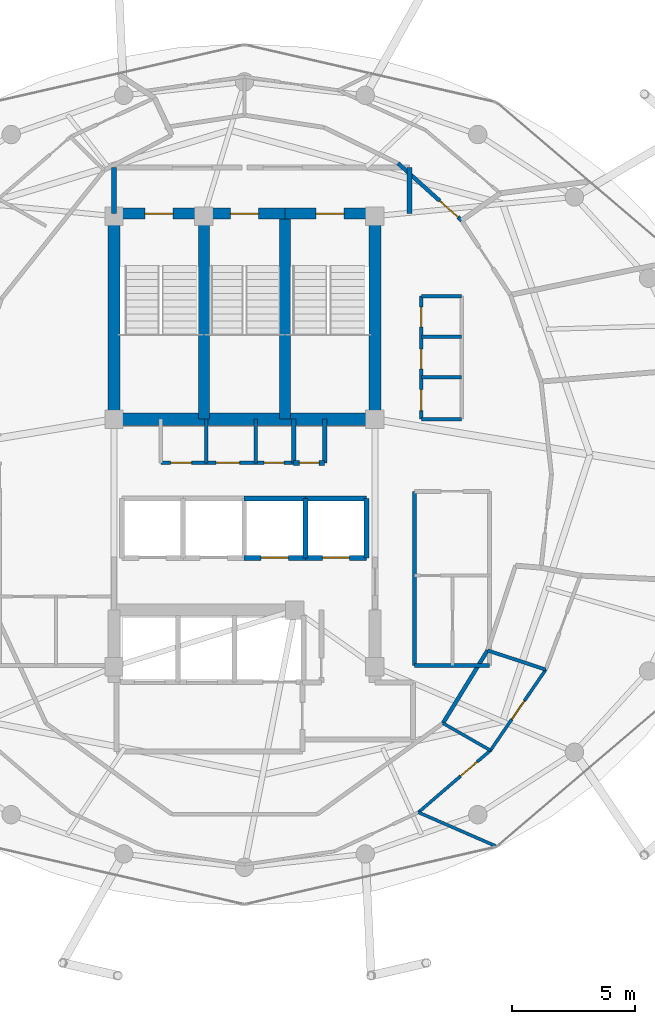
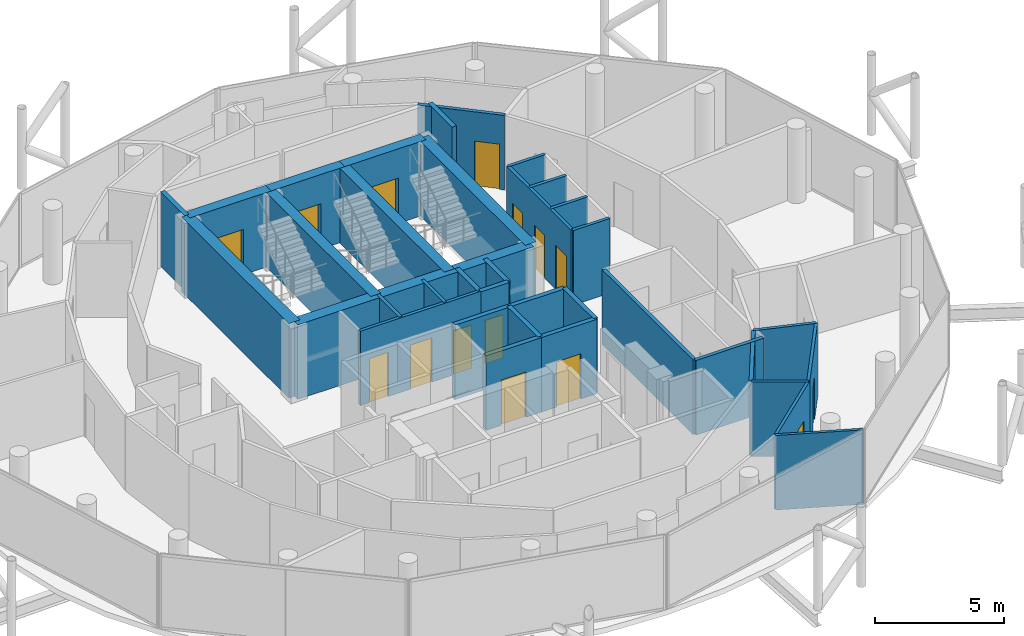
# One storey, part 21 of 24: 36 walls, 15 doors, 15 openings.
"""IFC4 building model written with IfcOpenShell, lengths in metres."""

from ifc_helpers import new_model, si_unit, direction, frame, frame_2d, origin, place, context, subcontext, project, spatial, rectangle, extrude, material, layer, layer_set, type_object, element, fill, save


model = new_model("IFC4")

# Units and contexts
model_context = context("Model", 3, precision=1e-05, world=origin(), true_north=direction((0.0, 1.0)))
body_context = subcontext(model_context, "Body", "Model", "MODEL_VIEW")
ifc_project = project(units=[si_unit("LENGTHUNIT", "METRE"), si_unit("AREAUNIT", "SQUARE_METRE"), si_unit("VOLUMEUNIT", "CUBIC_METRE"), si_unit("PLANEANGLEUNIT", "RADIAN"), si_unit("MASSUNIT", "GRAM", prefix="KILO")], contexts=[model_context])

# Site, building, storey
site_placement = place(None, origin())
site = spatial("IfcSite", under=ifc_project, at=site_placement, CompositionType="ELEMENT")
building_placement = place(site_placement, origin())
building = spatial("IfcBuilding", under=site, at=building_placement, Name="Nuhasar Tower", CompositionType="ELEMENT")
storey_placement = place(building_placement, frame((0.0, 0.0, 263.199951171875)))
storey = spatial("IfcBuildingStorey", under=building, at=storey_placement, Name="L65", CompositionType="ELEMENT", Elevation=263.199951171875)

# Wall, opening, door
ifc_material_1 = material(Name="Concrete C50/60", Category="concrete")
ifc_layer_1 = layer(ifc_material_1, 0.449951171875)
ifc_layer_set_1 = layer_set([ifc_layer_1], Name="Concrete C50/60")
wall_type_1 = type_object("IfcWallType", Name="WL-CORE-450", PredefinedType="SHEAR", material=ifc_layer_set_1)
wall_1_placement = place(storey_placement, frame((37.35009765625, 37.39990234375, 0.0), z_axis=(0.0, 0.0, 1.0), x_axis=(-1.0, 0.0, 0.0)))
wall_1 = element("IfcWall", 1, at=wall_1_placement, inside=storey, type_object=wall_type_1, Name="L65 Stairwell Shear Wall ST01-N", PredefinedType="SHEAR", context=body_context, shape_type="SweptSolid", body=[
    extrude(rectangle(XDim=3.650146484375, YDim=0.449951171875, at=frame_2d((1.8251953125, 0.0))), origin(), (0.0, 0.0, 1.0), 3.5400390625),
])
opening_1_placement = place(wall_1_placement, frame((1.25, 0.0, 0.0)))
opening_1 = element("IfcOpeningElement", 2, at=opening_1_placement, cuts=wall_1, Name="Opening DS-01", PredefinedType="OPENING", context=body_context, shape_type="SweptSolid", body=[
    extrude(rectangle(XDim=1.14990234375, YDim=2.14990234375, at=frame_2d((0.574951171875, 1.074951171875))), frame((0.0, 0.23486328125, 0.0), z_axis=(0.0, -1.0, 0.0), x_axis=(1.0, 0.0, 0.0)), (0.0, 0.0, 1.0), 0.469970703125),
])
ifc_material_2 = material(Name="Steel S355", Category="steel")
door_type_1 = type_object("IfcDoorType", Name="DR-STAIR-FD120-1150", OperationType="NOTDEFINED", PredefinedType="DOOR", material=ifc_material_2)
door_1_placement = place(opening_1_placement, origin())
door_1 = element("IfcDoor", 3, at=door_1_placement, inside=storey, type_object=door_type_1, Name="L65 Exit Stair ST-01 Door", OperationType="SINGLE_SWING_RIGHT", OverallHeight=2.14990234375, OverallWidth=1.14990234375, PredefinedType="DOOR", context=body_context, shape_type="SweptSolid", body=[
    extrude(rectangle(XDim=1.14990234375, YDim=2.14990234375, at=frame_2d((0.574951171875, 1.074951171875))), frame((0.0, 0.02490234375, 0.0), z_axis=(0.0, -1.0, 0.0), x_axis=(1.0, 0.0, 0.0)), (0.0, 0.0, 1.0), 0.050048828125),
])
fill(opening_1, door_1)

# Wall
wall_2_placement = place(storey_placement, frame((37.35009765625, 29.050048828125, 0.0), z_axis=(0.0, 0.0, 1.0), x_axis=(0.0, 1.0, 0.0)))
element("IfcWall", 4, at=wall_2_placement, inside=storey, type_object=wall_type_1, Name="L65 Stairwell Shear Wall ST01-E", PredefinedType="SHEAR", context=body_context, shape_type="SweptSolid", body=[
    extrude(rectangle(XDim=8.349853515625, YDim=0.449951171875, at=frame_2d((4.1748046875, 0.0))), origin(), (0.0, 0.0, 1.0), 3.5400390625),
])

# Wall, opening, door
wall_3_placement = place(storey_placement, frame((40.64990234375, 37.39990234375, 0.0), z_axis=(0.0, 0.0, 1.0), x_axis=(-1.0, 0.0, 0.0)))
wall_3 = element("IfcWall", 5, at=wall_3_placement, inside=storey, type_object=wall_type_1, Name="L65 Stairwell Shear Wall ST03-N", PredefinedType="SHEAR", context=body_context, shape_type="SweptSolid", body=[
    extrude(rectangle(XDim=3.2998046875, YDim=0.449951171875, at=frame_2d((1.64990234375, 0.0))), origin(), (0.0, 0.0, 1.0), 3.5400390625),
])
opening_2_placement = place(wall_3_placement, frame((1.074951171875, 0.0, 0.0)))
opening_2 = element("IfcOpeningElement", 6, at=opening_2_placement, cuts=wall_3, Name="Opening DS-01", PredefinedType="OPENING", context=body_context, shape_type="SweptSolid", body=[
    extrude(rectangle(XDim=1.14990234375, YDim=2.14990234375, at=frame_2d((0.574951171875, 1.074951171875))), frame((0.0, 0.23486328125, 0.0), z_axis=(0.0, -1.0, 0.0), x_axis=(1.0, 0.0, 0.0)), (0.0, 0.0, 1.0), 0.469970703125),
])
door_2_placement = place(opening_2_placement, origin())
door_2 = element("IfcDoor", 7, at=door_2_placement, inside=storey, type_object=door_type_1, Name="L65 Exit Stair ST-03 Door", OperationType="SINGLE_SWING_RIGHT", OverallHeight=2.14990234375, OverallWidth=1.14990234375, PredefinedType="DOOR", context=body_context, shape_type="SweptSolid", body=[
    extrude(rectangle(XDim=1.14990234375, YDim=2.14990234375, at=frame_2d((0.574951171875, 1.074951171875))), frame((0.0, 0.02490234375, 0.0), z_axis=(0.0, -1.0, 0.0), x_axis=(1.0, 0.0, 0.0)), (0.0, 0.0, 1.0), 0.050048828125),
])
fill(opening_2, door_2)

# Wall
wall_4_placement = place(storey_placement, frame((40.64990234375, 29.050048828125, 0.0), z_axis=(0.0, 0.0, 1.0), x_axis=(0.0, 1.0, 0.0)))
element("IfcWall", 8, at=wall_4_placement, inside=storey, type_object=wall_type_1, Name="L65 Stairwell Shear Wall ST03-E", PredefinedType="SHEAR", context=body_context, shape_type="SweptSolid", body=[
    extrude(rectangle(XDim=8.349853515625, YDim=0.449951171875, at=frame_2d((4.1748046875, 0.0))), origin(), (0.0, 0.0, 1.0), 3.5400390625),
])

# Wall, opening, door
wall_5_placement = place(storey_placement, frame((44.300048828125, 37.39990234375, 0.0), z_axis=(0.0, 0.0, 1.0), x_axis=(-1.0, 0.0, 0.0)))
wall_5 = element("IfcWall", 9, at=wall_5_placement, inside=storey, type_object=wall_type_1, Name="L65 Stairwell Shear Wall ST02-N", PredefinedType="SHEAR", context=body_context, shape_type="SweptSolid", body=[
    extrude(rectangle(XDim=3.650146484375, YDim=0.449951171875, at=frame_2d((1.8251953125, 0.0))), origin(), (0.0, 0.0, 1.0), 3.5400390625),
])
opening_3_placement = place(wall_5_placement, frame((1.25, 0.0, 0.0)))
opening_3 = element("IfcOpeningElement", 10, at=opening_3_placement, cuts=wall_5, Name="Opening DS-01", PredefinedType="OPENING", context=body_context, shape_type="SweptSolid", body=[
    extrude(rectangle(XDim=1.14990234375, YDim=2.14990234375, at=frame_2d((0.574951171875, 1.074951171875))), frame((0.0, 0.23486328125, 0.0), z_axis=(0.0, -1.0, 0.0), x_axis=(1.0, 0.0, 0.0)), (0.0, 0.0, 1.0), 0.469970703125),
])
door_3_placement = place(opening_3_placement, origin())
door_3 = element("IfcDoor", 11, at=door_3_placement, inside=storey, type_object=door_type_1, Name="L65 Exit Stair ST-02 Door", OperationType="SINGLE_SWING_LEFT", OverallHeight=2.14990234375, OverallWidth=1.14990234375, PredefinedType="DOOR", context=body_context, shape_type="SweptSolid", body=[
    extrude(rectangle(XDim=1.14990234375, YDim=2.14990234375, at=frame_2d((0.574951171875, 1.074951171875))), frame((0.0, 0.02490234375, 0.0), z_axis=(0.0, -1.0, 0.0), x_axis=(1.0, 0.0, 0.0)), (0.0, 0.0, 1.0), 0.050048828125),
])
fill(opening_3, door_3)

# Walls
ifc_layer_2 = layer(ifc_material_1, 0.5)
ifc_layer_set_2 = layer_set([ifc_layer_2], Name="Concrete C50/60")
wall_type_2 = type_object("IfcWallType", Name="WL-CORE-500", PredefinedType="SHEAR", material=ifc_layer_set_2)
for number, where, z_axis, x_axis, name in (
    (12, (33.699951171875, 29.050048828125, 0.0), (0.0, 0.0, 1.0), (0.0, 1.0, 0.0), "L65 Core Shear Wall CW-NW CW-500"),
    (13, (44.300048828125, 29.050048828125, 0.0), (0.0, 0.0, 1.0), (0.0, 1.0, 0.0), "L65 Core Shear Wall CW-NE CW-500"),
):
    element("IfcWall", number, at=place(storey_placement, frame(where, z_axis=z_axis, x_axis=x_axis)), inside=storey, type_object=wall_type_2, Name=name, PredefinedType="SHEAR", context=body_context, shape_type="SweptSolid", body=[
        extrude(rectangle(XDim=8.349853515625, YDim=0.5, at=frame_2d((4.1748046875, 0.0))), origin(), (0.0, 0.0, 1.0), 3.5400390625),
    ])
wall_6_placement = place(storey_placement, frame((33.699951171875, 29.050048828125, 0.0), z_axis=(0.0, 0.0, 1.0), x_axis=(1.0, 0.0, 0.0)))
element("IfcWall", 14, at=wall_6_placement, inside=storey, type_object=wall_type_2, Name="L65 Core Shear Wall CW-N1 CW-500", PredefinedType="SHEAR", context=body_context, shape_type="SweptSolid", body=[
    extrude(rectangle(XDim=10.60009765625, YDim=0.5, at=frame_2d((5.300048828125, 0.0))), origin(), (0.0, 0.0, 1.0), 3.5400390625),
])
ifc_material_3 = material(Name="Gypsum Board", Category="gypsum")
ifc_layer_3 = layer(ifc_material_3, 0.159912109375)
ifc_layer_set_3 = layer_set([ifc_layer_3], Name="Gypsum Board")
wall_type_3 = type_object("IfcWallType", Name="WL-CORR-160", PredefinedType="PARTITIONING", material=ifc_layer_set_3)
wall_7_placement = place(storey_placement, frame((45.89990234375, 19.050048828125, 0.0), z_axis=(0.0, 0.0, 1.0), x_axis=(1.0, 0.0, 0.0)))
element("IfcWall", 15, at=wall_7_placement, inside=storey, type_object=wall_type_3, Name="L65 Interior Partition RECL-B2-S", PredefinedType="PARTITIONING", context=body_context, shape_type="SweptSolid", body=[
    extrude(rectangle(XDim=3.050048828125, YDim=0.159912109375, at=frame_2d((1.52490234375, 0.0))), origin(), (0.0, 0.0, 1.0), 3.5400390625),
])
wall_8_placement = place(storey_placement, frame((45.89990234375, 19.050048828125, 0.0), z_axis=(0.0, 0.0, 1.0), x_axis=(0.0, 1.0, 0.0)))
element("IfcWall", 16, at=wall_8_placement, inside=storey, type_object=wall_type_3, Name="L65 Interior Partition RECL-B2-W", PredefinedType="PARTITIONING", context=body_context, shape_type="SweptSolid", body=[
    extrude(rectangle(XDim=7.070068359375, YDim=0.159912109375, at=frame_2d((3.53515625, 0.0))), origin(), (0.0, 0.0, 1.0), 3.5400390625),
])

# Wall, opening, door
wall_9_placement = place(storey_placement, frame((45.235107421875, 39.444091796875, 0.0), z_axis=(0.0, 0.0, 1.0), x_axis=(0.743958104357, -0.668226263299, 0.0)))
wall_9 = element("IfcWall", 17, at=wall_9_placement, inside=storey, type_object=wall_type_3, Name="L65 Interior Partition CORR-06", PredefinedType="PARTITIONING", context=body_context, shape_type="SweptSolid", body=[
    extrude(rectangle(XDim=3.471923828125, YDim=0.159912109375, at=frame_2d((1.73583984375, 0.0))), origin(), (0.0, 0.0, 1.0), 3.5400390625),
])
opening_4_placement = place(wall_9_placement, frame((2.27197265625, 0.0, 0.0)))
opening_4 = element("IfcOpeningElement", 18, at=opening_4_placement, cuts=wall_9, Name="Opening DU-02", PredefinedType="OPENING", context=body_context, shape_type="SweptSolid", body=[
    extrude(rectangle(XDim=1.0, YDim=2.14990234375, at=frame_2d((0.5, 1.074951171875))), frame((0.0, 0.08984375, 0.0), z_axis=(0.0, -1.0, 0.0), x_axis=(1.0, 0.0, 0.0)), (0.0, 0.0, 1.0), 0.179931640625),
])
ifc_material_4 = material(Name="Timber Oak", Category="wood")
door_type_2 = type_object("IfcDoorType", Name="DR-FLAT-FD60-1000", OperationType="NOTDEFINED", PredefinedType="DOOR", material=ifc_material_4)
door_4_placement = place(opening_4_placement, origin())
door_4 = element("IfcDoor", 19, at=door_4_placement, inside=storey, type_object=door_type_2, Name="L65 North-East Sky Penthouse Entrance Door", OperationType="SINGLE_SWING_RIGHT", OverallHeight=2.14990234375, OverallWidth=1.0, PredefinedType="DOOR", context=body_context, shape_type="SweptSolid", body=[
    extrude(rectangle(XDim=1.0, YDim=2.14990234375, at=frame_2d((0.5, 1.074951171875))), frame((0.0, 0.02490234375, 0.0), z_axis=(0.0, -1.0, 0.0), x_axis=(1.0, 0.0, 0.0)), (0.0, 0.0, 1.0), 0.050048828125),
])
fill(opening_4, door_4)

# Walls
wall_10_placement = place(storey_placement, frame((47.06103515625, 16.702880859375, 0.0), z_axis=(0.0, 0.0, 1.0), x_axis=(0.522486120877, 0.852647789823, 0.0)))
element("IfcWall", 20, at=wall_10_placement, inside=storey, type_object=wall_type_3, Name="L65 Interior Partition UWEST-CORE-S1-42", PredefinedType="PARTITIONING", context=body_context, shape_type="SweptSolid", body=[
    extrude(rectangle(XDim=3.468017578125, YDim=0.159912109375, at=frame_2d((1.73388671875, 0.0))), origin(), (0.0, 0.0, 1.0), 3.5400390625),
])
ifc_material_5 = material(Name="Concrete C45/55", Category="concrete")
ifc_layer_4 = layer(ifc_material_5, 0.199951171875)
ifc_layer_set_4 = layer_set([ifc_layer_4], Name="Concrete C45/55")
wall_type_4 = type_object("IfcWallType", Name="WL-LOBBY-200", PredefinedType="SOLIDWALL", material=ifc_layer_set_4)
for number, where, z_axis, x_axis, name in (
    (21, (33.699951171875, 37.39990234375, 0.0), (0.0, 0.0, 1.0), (0.0, 1.0, 0.0), "L65 Interior Partition NSL-W"),
    (22, (45.699951171875, 37.39990234375, 0.0), (0.0, 0.0, 1.0), (0.0, 1.0, 0.0), "L65 Interior Partition NSL-E"),
):
    element("IfcWall", number, at=place(storey_placement, frame(where, z_axis=z_axis, x_axis=x_axis)), inside=storey, type_object=wall_type_4, Name=name, PredefinedType="SOLIDWALL", context=body_context, shape_type="SweptSolid", body=[
        extrude(rectangle(XDim=1.880126953125, YDim=0.199951171875, at=frame_2d((0.93994140625, 0.0))), origin(), (0.0, 0.0, 1.0), 3.5400390625),
    ])

# Wall, opening, door
ifc_layer_5 = layer(ifc_material_3, 0.125)
ifc_layer_set_5 = layer_set([ifc_layer_5], Name="Gypsum Board")
wall_type_5 = type_object("IfcWallType", Name="WL-PART-125", PredefinedType="PARTITIONING", material=ifc_layer_set_5)
wall_11_placement = place(storey_placement, frame((51.237060546875, 18.8798828125, 0.0), z_axis=(0.0, 0.0, 1.0), x_axis=(-0.5649172284, -0.825147577744, 0.0)))
wall_11 = element("IfcWall", 23, at=wall_11_placement, inside=storey, type_object=wall_type_5, Name="L65 Interior Partition USM-2-K-42", PredefinedType="PARTITIONING", context=body_context, shape_type="SweptSolid", body=[
    extrude(rectangle(XDim=3.97607421875, YDim=0.125, at=frame_2d((1.988037109375, 0.0))), origin(), (0.0, 0.0, 1.0), 3.5400390625),
])
opening_5_placement = place(wall_11_placement, frame((1.5380859375, 0.0, 0.0)))
opening_5 = element("IfcOpeningElement", 24, at=opening_5_placement, cuts=wall_11, Name="Opening DR-01", PredefinedType="OPENING", context=body_context, shape_type="SweptSolid", body=[
    extrude(rectangle(XDim=0.89990234375, YDim=2.10009765625, at=frame_2d((0.449951171875, 1.050048828125))), frame((0.0, 0.072509765625, 0.0), z_axis=(0.0, -1.0, 0.0), x_axis=(1.0, 0.0, 0.0)), (0.0, 0.0, 1.0), 0.14501953125),
])
door_type_3 = type_object("IfcDoorType", Name="DR-ROOM-900", OperationType="NOTDEFINED", PredefinedType="DOOR", material=ifc_material_4)
door_5_placement = place(opening_5_placement, origin())
door_5 = element("IfcDoor", 25, at=door_5_placement, inside=storey, type_object=door_type_3, Name="L65 South-West Sky Home Kitchen Door", OperationType="SINGLE_SWING_LEFT", OverallHeight=2.10009765625, OverallWidth=0.89990234375, PredefinedType="DOOR", context=body_context, shape_type="SweptSolid", body=[
    extrude(rectangle(XDim=0.89990234375, YDim=2.10009765625, at=frame_2d((0.449951171875, 1.050048828125))), frame((0.0, 0.02490234375, 0.0), z_axis=(0.0, -1.0, 0.0), x_axis=(1.0, 0.0, 0.0)), (0.0, 0.0, 1.0), 0.050048828125),
])
fill(opening_5, door_5)

# Wall
wall_12_placement = place(storey_placement, frame((47.06103515625, 16.702880859375, 0.0), z_axis=(0.0, 0.0, 1.0), x_axis=(0.868060627231, -0.496458203126, 0.0)))
element("IfcWall", 26, at=wall_12_placement, inside=storey, type_object=wall_type_5, Name="L65 Interior Partition USI-2-DK", PredefinedType="PARTITIONING", context=body_context, shape_type="SweptSolid", body=[
    extrude(rectangle(XDim=2.223388671875, YDim=0.125, at=frame_2d((1.11181640625, 0.0))), origin(), (0.0, 0.0, 1.0), 3.5400390625),
])

# Wall, opening, door
wall_13_placement = place(storey_placement, frame((48.990966796875, 15.59912109375, 0.0), z_axis=(0.0, 0.0, 1.0), x_axis=(-0.758094504626, -0.652144709444, 0.0)))
wall_13 = element("IfcWall", 27, at=wall_13_placement, inside=storey, type_object=wall_type_5, Name="L65 Interior Partition USM-2-D-40", PredefinedType="PARTITIONING", context=body_context, shape_type="SweptSolid", body=[
    extrude(rectangle(XDim=3.859619140625, YDim=0.125, at=frame_2d((1.9296875, 0.0))), origin(), (0.0, 0.0, 1.0), 3.5400390625),
])
opening_6_placement = place(wall_13_placement, frame((0.701904296875, 0.0, 0.0)))
opening_6 = element("IfcOpeningElement", 28, at=opening_6_placement, cuts=wall_13, Name="Opening DR-01", PredefinedType="OPENING", context=body_context, shape_type="SweptSolid", body=[
    extrude(rectangle(XDim=0.89990234375, YDim=2.10009765625, at=frame_2d((0.449951171875, 1.050048828125))), frame((0.0, 0.072509765625, 0.0), z_axis=(0.0, -1.0, 0.0), x_axis=(1.0, 0.0, 0.0)), (0.0, 0.0, 1.0), 0.14501953125),
])
door_6_placement = place(opening_6_placement, origin())
door_6 = element("IfcDoor", 29, at=door_6_placement, inside=storey, type_object=door_type_3, Name="L65 South-West Sky Home Master Bedroom Door", OperationType="SINGLE_SWING_LEFT", OverallHeight=2.10009765625, OverallWidth=0.89990234375, PredefinedType="DOOR", context=body_context, shape_type="SweptSolid", body=[
    extrude(rectangle(XDim=0.89990234375, YDim=2.10009765625, at=frame_2d((0.449951171875, 1.050048828125))), frame((0.0, 0.02490234375, 0.0), z_axis=(0.0, -1.0, 0.0), x_axis=(1.0, 0.0, 0.0)), (0.0, 0.0, 1.0), 0.050048828125),
])
fill(opening_6, door_6)

# Walls
wall_14_placement = place(storey_placement, frame((46.06494140625, 13.08203125, 0.0), z_axis=(0.0, 0.0, 1.0), x_axis=(0.916707983788, -0.399557846199, 0.0)))
element("IfcWall", 30, at=wall_14_placement, inside=storey, type_object=wall_type_5, Name="L65 Interior Partition USO-2-BD", PredefinedType="PARTITIONING", context=body_context, shape_type="SweptSolid", body=[
    extrude(rectangle(XDim=3.43408203125, YDim=0.125, at=frame_2d((1.717041015625, 0.0))), origin(), (0.0, 0.0, 1.0), 3.5400390625),
])
ifc_layer_6 = layer(ifc_material_5, 0.199951171875)
ifc_layer_set_6 = layer_set([ifc_layer_6], Name="Concrete C45/55")
wall_type_6 = type_object("IfcWallType", Name="WL-SHAFT-200", PredefinedType="SOLIDWALL", material=ifc_layer_set_6)
for number, where, z_axis, x_axis, name in (
    (31, (41.0, 27.280029296875, 0.0), (0.0, 0.0, 1.0), (0.0, 1.0, 0.0), "L65 Interior Partition RSRN-W"),
    (32, (42.260009765625, 27.280029296875, 0.0), (0.0, 0.0, 1.0), (0.0, 1.0, 0.0), "L65 Interior Partition RSRN-E"),
):
    element("IfcWall", number, at=place(storey_placement, frame(where, z_axis=z_axis, x_axis=x_axis)), inside=storey, type_object=wall_type_6, Name=name, PredefinedType="SOLIDWALL", context=body_context, shape_type="SweptSolid", body=[
        extrude(rectangle(XDim=1.77001953125, YDim=0.199951171875, at=frame_2d((0.885009765625, 0.0))), origin(), (0.0, 0.0, 1.0), 3.5400390625),
    ])

# Wall, opening, door
wall_15_placement = place(storey_placement, frame((41.0, 27.280029296875, 0.0), z_axis=(0.0, 0.0, 1.0), x_axis=(1.0, 0.0, 0.0)))
wall_15 = element("IfcWall", 33, at=wall_15_placement, inside=storey, type_object=wall_type_6, Name="L65 Interior Partition RSRN-S", PredefinedType="SOLIDWALL", context=body_context, shape_type="SweptSolid", body=[
    extrude(rectangle(XDim=1.260009765625, YDim=0.199951171875, at=frame_2d((0.6298828125, 0.0))), origin(), (0.0, 0.0, 1.0), 3.5400390625),
])
opening_7_placement = place(wall_15_placement, frame((0.22998046875, 0.0, 0.0)))
opening_7 = element("IfcOpeningElement", 34, at=opening_7_placement, cuts=wall_15, Name="Opening DM-01", PredefinedType="OPENING", context=body_context, shape_type="SweptSolid", body=[
    extrude(rectangle(XDim=0.800048828125, YDim=2.050048828125, at=frame_2d((0.39990234375, 1.02490234375))), frame((0.0, 0.10986328125, 0.0), z_axis=(0.0, -1.0, 0.0), x_axis=(1.0, 0.0, 0.0)), (0.0, 0.0, 1.0), 0.219970703125),
])
door_type_4 = type_object("IfcDoorType", Name="DR-RISER-FD60-800", OperationType="NOTDEFINED", PredefinedType="DOOR", material=ifc_material_2)
door_7_placement = place(opening_7_placement, origin())
door_7 = element("IfcDoor", 35, at=door_7_placement, inside=storey, type_object=door_type_4, Name="L65 North Smoke Riser Door", OperationType="SINGLE_SWING_RIGHT", OverallHeight=2.050048828125, OverallWidth=0.800048828125, PredefinedType="DOOR", context=body_context, shape_type="SweptSolid", body=[
    extrude(rectangle(XDim=0.800048828125, YDim=2.050048828125, at=frame_2d((0.39990234375, 1.02490234375))), frame((0.0, 0.02490234375, 0.0), z_axis=(0.0, -1.0, 0.0), x_axis=(1.0, 0.0, 0.0)), (0.0, 0.0, 1.0), 0.050048828125),
])
fill(opening_7, door_7)

wall_16_placement = place(storey_placement, frame((38.97998046875, 23.419921875, 0.0), z_axis=(0.0, 0.0, 1.0), x_axis=(1.0, 0.0, 0.0)))
wall_16 = element("IfcWall", 36, at=wall_16_placement, inside=storey, type_object=wall_type_6, Name="L65 Interior Partition SHF-PL-H03-S", PredefinedType="SOLIDWALL", context=body_context, shape_type="SweptSolid", body=[
    extrude(rectangle(XDim=2.5, YDim=0.199951171875, at=frame_2d((1.25, 0.0))), origin(), (0.0, 0.0, 1.0), 3.5400390625),
])
opening_8_placement = place(wall_16_placement, frame((0.699951171875, 0.0, 0.0)))
opening_8 = element("IfcOpeningElement", 37, at=opening_8_placement, cuts=wall_16, Name="Opening LD-H03", PredefinedType="OPENING", context=body_context, shape_type="SweptSolid", body=[
    extrude(rectangle(XDim=1.10009765625, YDim=2.14990234375, at=frame_2d((0.550048828125, 1.074951171875))), frame((0.0, 0.10986328125, 0.0), z_axis=(0.0, -1.0, 0.0), x_axis=(1.0, 0.0, 0.0)), (0.0, 0.0, 1.0), 0.219970703125),
])
ifc_material_6 = material(Name="Stainless Steel 316L", Category="steel")
door_type_5 = type_object("IfcDoorType", Name="LD-PAX-1100", OperationType="DOUBLE_DOOR_SLIDING", PredefinedType="DOOR", material=ifc_material_6)
door_8_placement = place(opening_8_placement, origin())
door_8 = element("IfcDoor", 38, at=door_8_placement, inside=storey, type_object=door_type_5, Name="L65 Lift Landing Door PL-H03", OperationType="DOUBLE_DOOR_SLIDING", OverallHeight=2.14990234375, OverallWidth=1.10009765625, PredefinedType="DOOR", context=body_context, shape_type="SweptSolid", body=[
    extrude(rectangle(XDim=1.10009765625, YDim=2.14990234375, at=frame_2d((0.550048828125, 1.074951171875))), frame((0.0, 0.02490234375, 0.0), z_axis=(0.0, -1.0, 0.0), x_axis=(1.0, 0.0, 0.0)), (0.0, 0.0, 1.0), 0.050048828125),
])
fill(opening_8, door_8)

# Walls
wall_17_placement = place(storey_placement, frame((38.97998046875, 25.830078125, 0.0), z_axis=(0.0, 0.0, 1.0), x_axis=(1.0, 0.0, 0.0)))
element("IfcWall", 39, at=wall_17_placement, inside=storey, type_object=wall_type_6, Name="L65 Interior Partition SHF-PL-H03-N", PredefinedType="SOLIDWALL", context=body_context, shape_type="SweptSolid", body=[
    extrude(rectangle(XDim=2.5, YDim=0.199951171875, at=frame_2d((1.25, 0.0))), origin(), (0.0, 0.0, 1.0), 3.5400390625),
])
wall_18_placement = place(storey_placement, frame((41.469970703125, 23.419921875, 0.0), z_axis=(0.0, 0.0, 1.0), x_axis=(0.0, 1.0, 0.0)))
element("IfcWall", 40, at=wall_18_placement, inside=storey, type_object=wall_type_6, Name="L65 Interior Partition SHF-PL-H03-E", PredefinedType="SOLIDWALL", context=body_context, shape_type="SweptSolid", body=[
    extrude(rectangle(XDim=2.41015625, YDim=0.199951171875, at=frame_2d((1.205078125, 0.0))), origin(), (0.0, 0.0, 1.0), 3.5400390625),
])

# Wall, opening, door
wall_19_placement = place(storey_placement, frame((41.4599609375, 23.419921875, 0.0), z_axis=(0.0, 0.0, 1.0), x_axis=(1.0, 0.0, 0.0)))
wall_19 = element("IfcWall", 41, at=wall_19_placement, inside=storey, type_object=wall_type_6, Name="L65 Interior Partition SHF-PL-H04-S", PredefinedType="SOLIDWALL", context=body_context, shape_type="SweptSolid", body=[
    extrude(rectangle(XDim=2.5, YDim=0.199951171875, at=frame_2d((1.25, 0.0))), origin(), (0.0, 0.0, 1.0), 3.5400390625),
])
opening_9_placement = place(wall_19_placement, frame((0.699951171875, 0.0, 0.0)))
opening_9 = element("IfcOpeningElement", 42, at=opening_9_placement, cuts=wall_19, Name="Opening LD-H04", PredefinedType="OPENING", context=body_context, shape_type="SweptSolid", body=[
    extrude(rectangle(XDim=1.10009765625, YDim=2.14990234375, at=frame_2d((0.550048828125, 1.074951171875))), frame((0.0, 0.10986328125, 0.0), z_axis=(0.0, -1.0, 0.0), x_axis=(1.0, 0.0, 0.0)), (0.0, 0.0, 1.0), 0.219970703125),
])
door_9_placement = place(opening_9_placement, origin())
door_9 = element("IfcDoor", 43, at=door_9_placement, inside=storey, type_object=door_type_5, Name="L65 Lift Landing Door PL-H04", OperationType="DOUBLE_DOOR_SLIDING", OverallHeight=2.14990234375, OverallWidth=1.10009765625, PredefinedType="DOOR", context=body_context, shape_type="SweptSolid", body=[
    extrude(rectangle(XDim=1.10009765625, YDim=2.14990234375, at=frame_2d((0.550048828125, 1.074951171875))), frame((0.0, 0.02490234375, 0.0), z_axis=(0.0, -1.0, 0.0), x_axis=(1.0, 0.0, 0.0)), (0.0, 0.0, 1.0), 0.050048828125),
])
fill(opening_9, door_9)

# Walls
wall_20_placement = place(storey_placement, frame((41.4599609375, 25.830078125, 0.0), z_axis=(0.0, 0.0, 1.0), x_axis=(1.0, 0.0, 0.0)))
element("IfcWall", 44, at=wall_20_placement, inside=storey, type_object=wall_type_6, Name="L65 Interior Partition SHF-PL-H04-N", PredefinedType="SOLIDWALL", context=body_context, shape_type="SweptSolid", body=[
    extrude(rectangle(XDim=2.5, YDim=0.199951171875, at=frame_2d((1.25, 0.0))), origin(), (0.0, 0.0, 1.0), 3.5400390625),
])
wall_21_placement = place(storey_placement, frame((43.9599609375, 23.419921875, 0.0), z_axis=(0.0, 0.0, 1.0), x_axis=(0.0, 1.0, 0.0)))
element("IfcWall", 45, at=wall_21_placement, inside=storey, type_object=wall_type_6, Name="L65 Interior Partition SHF-PL-H04-E", PredefinedType="SOLIDWALL", context=body_context, shape_type="SweptSolid", body=[
    extrude(rectangle(XDim=2.41015625, YDim=0.199951171875, at=frame_2d((1.205078125, 0.0))), origin(), (0.0, 0.0, 1.0), 3.5400390625),
])

# Wall, openings, doors
ifc_material_7 = material(Name="Concrete C40/50 precast", Category="concrete")
ifc_layer_7 = layer(ifc_material_7, 0.139892578125)
ifc_layer_set_7 = layer_set([ifc_layer_7], Name="Concrete C40/50 precast")
wall_type_7 = type_object("IfcWallType", Name="WL-WET-140", PredefinedType="PARTITIONING", material=ifc_layer_set_7)
wall_22_placement = place(storey_placement, frame((35.60009765625, 27.280029296875, 0.0), z_axis=(0.0, 0.0, 1.0), x_axis=(1.0, 0.0, 0.0)))
wall_22 = element("IfcWall", 46, at=wall_22_placement, inside=storey, type_object=wall_type_7, Name="L65 Interior Partition CSVC-S", PredefinedType="PARTITIONING", context=body_context, shape_type="SweptSolid", body=[
    extrude(rectangle(XDim=5.39990234375, YDim=0.139892578125, at=frame_2d((2.699951171875, 0.0))), origin(), (0.0, 0.0, 1.0), 3.5400390625),
])
opening_10_placement = place(wall_22_placement, frame((0.39990234375, 0.0, 0.0)))
opening_10 = element("IfcOpeningElement", 47, at=opening_10_placement, cuts=wall_22, Name="Opening DB-01", PredefinedType="OPENING", context=body_context, shape_type="SweptSolid", body=[
    extrude(rectangle(XDim=0.85009765625, YDim=2.10009765625, at=frame_2d((0.425048828125, 1.050048828125))), frame((0.0, 0.080078125, 0.0), z_axis=(0.0, -1.0, 0.0), x_axis=(1.0, 0.0, 0.0)), (0.0, 0.0, 1.0), 0.159912109375),
])
opening_11_placement = place(wall_22_placement, frame((2.25, 0.0, 0.0)))
opening_11 = element("IfcOpeningElement", 48, at=opening_11_placement, cuts=wall_22, Name="Opening DA-01", PredefinedType="OPENING", context=body_context, shape_type="SweptSolid", body=[
    extrude(rectangle(XDim=0.949951171875, YDim=2.10009765625, at=frame_2d((0.47509765625, 1.050048828125))), frame((0.0, 0.080078125, 0.0), z_axis=(0.0, -1.0, 0.0), x_axis=(1.0, 0.0, 0.0)), (0.0, 0.0, 1.0), 0.159912109375),
])
opening_12_placement = place(wall_22_placement, frame((4.199951171875, 0.0, 0.0)))
opening_12 = element("IfcOpeningElement", 49, at=opening_12_placement, cuts=wall_22, Name="Opening DM-01", PredefinedType="OPENING", context=body_context, shape_type="SweptSolid", body=[
    extrude(rectangle(XDim=0.800048828125, YDim=2.050048828125, at=frame_2d((0.39990234375, 1.02490234375))), frame((0.0, 0.080078125, 0.0), z_axis=(0.0, -1.0, 0.0), x_axis=(1.0, 0.0, 0.0)), (0.0, 0.0, 1.0), 0.159912109375),
])
door_type_6 = type_object("IfcDoorType", Name="DR-ACCWC-950", OperationType="NOTDEFINED", PredefinedType="DOOR", material=ifc_material_4)
door_10_placement = place(opening_11_placement, origin())
door_10 = element("IfcDoor", 50, at=door_10_placement, inside=storey, type_object=door_type_6, Name="L65 Core Accessible WC Door", OperationType="SINGLE_SWING_RIGHT", OverallHeight=2.10009765625, OverallWidth=0.949951171875, PredefinedType="DOOR", context=body_context, shape_type="SweptSolid", body=[
    extrude(rectangle(XDim=0.949951171875, YDim=2.10009765625, at=frame_2d((0.47509765625, 1.050048828125))), frame((0.0, 0.02490234375, 0.0), z_axis=(0.0, -1.0, 0.0), x_axis=(1.0, 0.0, 0.0)), (0.0, 0.0, 1.0), 0.050048828125),
])
fill(opening_11, door_10)
door_type_7 = type_object("IfcDoorType", Name="DR-BATH-850", OperationType="NOTDEFINED", PredefinedType="DOOR", material=ifc_material_4)
door_11_placement = place(opening_10_placement, origin())
door_11 = element("IfcDoor", 51, at=door_11_placement, inside=storey, type_object=door_type_7, Name="L65 Core Male WC Door", OperationType="SINGLE_SWING_LEFT", OverallHeight=2.10009765625, OverallWidth=0.85009765625, PredefinedType="DOOR", context=body_context, shape_type="SweptSolid", body=[
    extrude(rectangle(XDim=0.85009765625, YDim=2.10009765625, at=frame_2d((0.425048828125, 1.050048828125))), frame((0.0, 0.02490234375, 0.0), z_axis=(0.0, -1.0, 0.0), x_axis=(1.0, 0.0, 0.0)), (0.0, 0.0, 1.0), 0.050048828125),
])
fill(opening_10, door_11)
door_12_placement = place(opening_12_placement, origin())
door_12 = element("IfcDoor", 52, at=door_12_placement, inside=storey, type_object=door_type_4, Name="L65 Core Janitor Door", OperationType="SINGLE_SWING_RIGHT", OverallHeight=2.050048828125, OverallWidth=0.800048828125, PredefinedType="DOOR", context=body_context, shape_type="SweptSolid", body=[
    extrude(rectangle(XDim=0.800048828125, YDim=2.050048828125, at=frame_2d((0.39990234375, 1.02490234375))), frame((0.0, 0.02490234375, 0.0), z_axis=(0.0, -1.0, 0.0), x_axis=(1.0, 0.0, 0.0)), (0.0, 0.0, 1.0), 0.050048828125),
])
fill(opening_12, door_12)

# Walls
for number, where, z_axis, x_axis, name in (
    (53, (37.449951171875, 27.280029296875, 0.0), (0.0, 0.0, 1.0), (0.0, 1.0, 0.0), "L65 Interior Partition K1-P1"),
    (54, (39.449951171875, 27.280029296875, 0.0), (0.0, 0.0, 1.0), (0.0, 1.0, 0.0), "L65 Interior Partition K1-P2"),
):
    element("IfcWall", number, at=place(storey_placement, frame(where, z_axis=z_axis, x_axis=x_axis)), inside=storey, type_object=wall_type_7, Name=name, PredefinedType="PARTITIONING", context=body_context, shape_type="SweptSolid", body=[
        extrude(rectangle(XDim=1.77001953125, YDim=0.139892578125, at=frame_2d((0.885009765625, 0.0))), origin(), (0.0, 0.0, 1.0), 3.5400390625),
    ])

# Wall, openings, doors
wall_23_placement = place(storey_placement, frame((46.179931640625, 34.050048828125, 0.0), z_axis=(0.0, 0.0, 1.0), x_axis=(0.0, -1.0, 0.0)))
wall_23 = element("IfcWall", 55, at=wall_23_placement, inside=storey, type_object=wall_type_7, Name="L65 Interior Partition K1-NE-W", PredefinedType="PARTITIONING", context=body_context, shape_type="SweptSolid", body=[
    extrude(rectangle(XDim=5.0, YDim=0.139892578125, at=frame_2d((2.5, 0.0))), origin(), (0.0, 0.0, 1.0), 3.5400390625),
])
opening_13_placement = place(wall_23_placement, frame((3.800048828125, 0.0, 0.0)))
opening_13 = element("IfcOpeningElement", 56, at=opening_13_placement, cuts=wall_23, Name="Opening DB-01", PredefinedType="OPENING", context=body_context, shape_type="SweptSolid", body=[
    extrude(rectangle(XDim=0.85009765625, YDim=2.10009765625, at=frame_2d((0.425048828125, 1.050048828125))), frame((0.0, 0.080078125, 0.0), z_axis=(0.0, -1.0, 0.0), x_axis=(1.0, 0.0, 0.0)), (0.0, 0.0, 1.0), 0.159912109375),
])
opening_14_placement = place(wall_23_placement, frame((2.14990234375, 0.0, 0.0)))
opening_14 = element("IfcOpeningElement", 57, at=opening_14_placement, cuts=wall_23, Name="Opening DM-01", PredefinedType="OPENING", context=body_context, shape_type="SweptSolid", body=[
    extrude(rectangle(XDim=0.800048828125, YDim=2.050048828125, at=frame_2d((0.39990234375, 1.02490234375))), frame((0.0, 0.080078125, 0.0), z_axis=(0.0, -1.0, 0.0), x_axis=(1.0, 0.0, 0.0)), (0.0, 0.0, 1.0), 0.159912109375),
])
opening_15_placement = place(wall_23_placement, frame((0.449951171875, 0.0, 0.0)))
opening_15 = element("IfcOpeningElement", 58, at=opening_15_placement, cuts=wall_23, Name="Opening DM-01", PredefinedType="OPENING", context=body_context, shape_type="SweptSolid", body=[
    extrude(rectangle(XDim=0.800048828125, YDim=2.050048828125, at=frame_2d((0.39990234375, 1.02490234375))), frame((0.0, 0.080078125, 0.0), z_axis=(0.0, -1.0, 0.0), x_axis=(1.0, 0.0, 0.0)), (0.0, 0.0, 1.0), 0.159912109375),
])
door_13_placement = place(opening_13_placement, origin())
door_13 = element("IfcDoor", 59, at=door_13_placement, inside=storey, type_object=door_type_7, Name="L65 NE Female WC Door", OperationType="SINGLE_SWING_RIGHT", OverallHeight=2.10009765625, OverallWidth=0.85009765625, PredefinedType="DOOR", context=body_context, shape_type="SweptSolid", body=[
    extrude(rectangle(XDim=0.85009765625, YDim=2.10009765625, at=frame_2d((0.425048828125, 1.050048828125))), frame((0.0, 0.02490234375, 0.0), z_axis=(0.0, -1.0, 0.0), x_axis=(1.0, 0.0, 0.0)), (0.0, 0.0, 1.0), 0.050048828125),
])
fill(opening_13, door_13)
door_14_placement = place(opening_14_placement, origin())
door_14 = element("IfcDoor", 60, at=door_14_placement, inside=storey, type_object=door_type_4, Name="L65 NE Meter Door", OperationType="SINGLE_SWING_RIGHT", OverallHeight=2.050048828125, OverallWidth=0.800048828125, PredefinedType="DOOR", context=body_context, shape_type="SweptSolid", body=[
    extrude(rectangle(XDim=0.800048828125, YDim=2.050048828125, at=frame_2d((0.39990234375, 1.02490234375))), frame((0.0, 0.02490234375, 0.0), z_axis=(0.0, -1.0, 0.0), x_axis=(1.0, 0.0, 0.0)), (0.0, 0.0, 1.0), 0.050048828125),
])
fill(opening_14, door_14)
door_15_placement = place(opening_15_placement, origin())
door_15 = element("IfcDoor", 61, at=door_15_placement, inside=storey, type_object=door_type_4, Name="L65 NE Telecom Door", OperationType="SINGLE_SWING_LEFT", OverallHeight=2.050048828125, OverallWidth=0.800048828125, PredefinedType="DOOR", context=body_context, shape_type="SweptSolid", body=[
    extrude(rectangle(XDim=0.800048828125, YDim=2.050048828125, at=frame_2d((0.39990234375, 1.02490234375))), frame((0.0, 0.02490234375, 0.0), z_axis=(0.0, -1.0, 0.0), x_axis=(1.0, 0.0, 0.0)), (0.0, 0.0, 1.0), 0.050048828125),
])
fill(opening_15, door_15)

# Walls
for number, where, z_axis, x_axis, name in (
    (62, (46.179931640625, 29.050048828125, 0.0), (0.0, 0.0, 1.0), (1.0, 0.0, 0.0), "L65 Interior Partition K1-NE-S"),
    (63, (46.179931640625, 30.75, 0.0), (0.0, 0.0, 1.0), (1.0, 0.0, 0.0), "L65 Interior Partition K1-NE-M1"),
    (64, (46.179931640625, 32.39990234375, 0.0), (0.0, 0.0, 1.0), (1.0, 0.0, 0.0), "L65 Interior Partition K1-NE-M2"),
    (65, (46.179931640625, 34.050048828125, 0.0), (0.0, 0.0, 1.0), (1.0, 0.0, 0.0), "L65 Interior Partition K1-NE-N"),
):
    element("IfcWall", number, at=place(storey_placement, frame(where, z_axis=z_axis, x_axis=x_axis)), inside=storey, type_object=wall_type_7, Name=name, PredefinedType="PARTITIONING", context=body_context, shape_type="SweptSolid", body=[
        extrude(rectangle(XDim=1.64013671875, YDim=0.139892578125, at=frame_2d((0.820068359375, 0.0))), origin(), (0.0, 0.0, 1.0), 3.5400390625),
    ])
wall_24_placement = place(storey_placement, frame((48.873046875, 19.659912109375, 0.0), z_axis=(0.0, 0.0, 1.0), x_axis=(0.949640030913, -0.313342961765, 0.0)))
element("IfcWall", 66, at=wall_24_placement, inside=storey, type_object=wall_type_7, Name="L65 Interior Partition USI-2-KB", PredefinedType="PARTITIONING", context=body_context, shape_type="SweptSolid", body=[
    extrude(rectangle(XDim=2.4892578125, YDim=0.139892578125, at=frame_2d((1.24462890625, 0.0))), origin(), (0.0, 0.0, 1.0), 3.5400390625),
])

save(model, "model.ifc")
